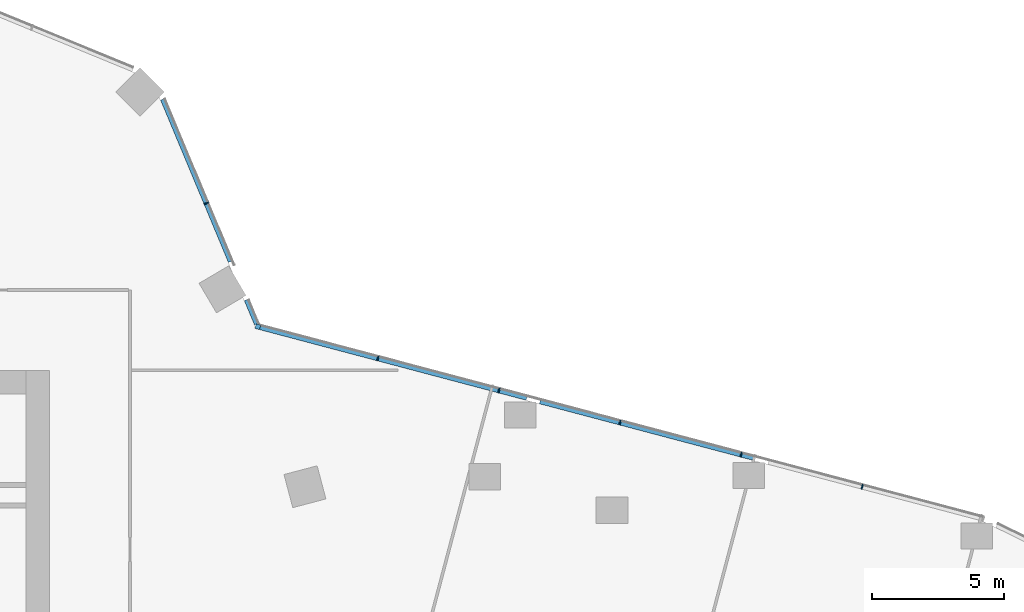
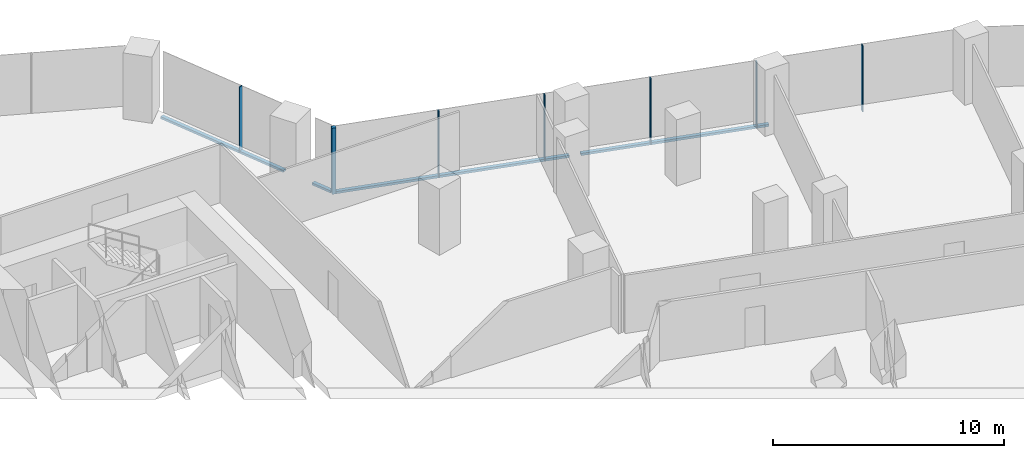
# One storey, part 14 of 34: 11 members, 2 elements without a shape of their own.
"""IFC4 building model written with IfcOpenShell, lengths in metres."""

import ifcopenshell
import ifcopenshell.guid

model = None  # the IFC model being written
_history = None  # IfcOwnerHistory: only IFC2X3 demands one
_inside = {}  # id of a spatial element -> (the spatial element, [elements in it])
_under = {}  # id of a project, library or spatial element -> (it, [spatial elements below it])
_declared = {}  # id of a project -> (the project, [libraries it declares])
_typed = {}  # id of a type object -> (the type object, [elements of that type])
_made_of = {}  # id of a material, layer set ... -> (it, [elements and type objects made of it])


def new_model(schema):
    """Start an empty IFC model of exactly this schema.

    Asked for "IFC4X3", IfcOpenShell would pick the latest addendum, in which some entities
    have other attributes; the version numbers below select the first issue.
    IFC2X3 requires an IfcOwnerHistory on every rooted entity: one is made here for all.
    """
    global model, _history
    if schema == "IFC4X3":
        model = ifcopenshell.file(schema_version=(4, 3, 0, 0))
    else:
        model = ifcopenshell.file(schema=schema)
    _inside.clear()
    _under.clear()
    _declared.clear()
    _typed.clear()
    _made_of.clear()
    _history = None
    if model.schema == "IFC2X3":
        org = make("IfcOrganization", Name="unknown")
        user = make(
            "IfcPersonAndOrganization",
            ThePerson=make("IfcPerson", FamilyName="unknown"),
            TheOrganization=org,
        )
        app = make(
            "IfcApplication",
            ApplicationDeveloper=org,
            Version="unknown",
            ApplicationFullName="unknown",
            ApplicationIdentifier="unknown",
        )
        _history = make(
            "IfcOwnerHistory",
            OwningUser=user,
            OwningApplication=app,
            ChangeAction="ADDED",
            CreationDate=0,
        )
    return model


def make(cls, **values):
    """One entity of the class cls with the attributes given. An attribute that is None is left unset."""
    return model.create_entity(
        cls, **{name: value for name, value in values.items() if value is not None}
    )


def rooted(cls, **values):
    """An entity with a GlobalId (a new one), such as an element, a storey or a relation."""
    return make(cls, GlobalId=ifcopenshell.guid.new(), OwnerHistory=_history, **values)


def si_unit(unit_type, name, prefix=None):
    """IfcSIUnit, for example si_unit("LENGTHUNIT", "METRE", prefix="MILLI")."""
    return make("IfcSIUnit", UnitType=unit_type, Prefix=prefix, Name=name)


def assignment(units):
    """IfcUnitAssignment: the units of a project."""
    return None if units is None else make("IfcUnitAssignment", Units=units)


def point(xyz):
    """IfcCartesianPoint."""
    return None if xyz is None else make("IfcCartesianPoint", Coordinates=xyz)


def direction(xyz):
    """IfcDirection."""
    return None if xyz is None else make("IfcDirection", DirectionRatios=xyz)


def frame(location, z_axis=None, x_axis=None):
    """IfcAxis2Placement3D, a coordinate frame: its origin and axes. An axis left out is left unset."""
    return make(
        "IfcAxis2Placement3D",
        Location=point(location),
        Axis=direction(z_axis),
        RefDirection=direction(x_axis),
    )


def frame_2d(location, x_axis=None):
    """IfcAxis2Placement2D, a coordinate frame in the plane: its origin and x axis."""
    return make(
        "IfcAxis2Placement2D", Location=point(location), RefDirection=direction(x_axis)
    )


def origin():
    """The frame at (0, 0, 0) with its axes left unset."""
    return frame((0.0, 0.0, 0.0))


def origin_2d():
    """The frame at (0, 0) in the plane with its x axis left unset."""
    return frame_2d((0.0, 0.0))


def place(relative_to, where):
    """IfcLocalPlacement: puts the frame where relative to a parent placement (None: the world)."""
    return make(
        "IfcLocalPlacement", PlacementRelTo=relative_to, RelativePlacement=where
    )


def context(
    kind, dimensions, precision=None, world=None, true_north=None, identifier=None
):
    """IfcGeometricRepresentationContext, for example the 3D "Model" context."""
    return make(
        "IfcGeometricRepresentationContext",
        ContextIdentifier=identifier,
        ContextType=kind,
        CoordinateSpaceDimension=dimensions,
        Precision=precision,
        WorldCoordinateSystem=world,
        TrueNorth=true_north,
    )


def subcontext(parent, identifier, kind, view, scale=None):
    """IfcGeometricRepresentationSubContext, for example "Body" below "Model"."""
    return make(
        "IfcGeometricRepresentationSubContext",
        ContextIdentifier=identifier,
        ContextType=kind,
        ParentContext=parent,
        TargetScale=scale,
        TargetView=view,
    )


def project(units=None, contexts=None):
    """IfcProject with its units and contexts."""
    return rooted(
        "IfcProject",
        Name="project",
        RepresentationContexts=contexts,
        UnitsInContext=assignment(units),
    )


def spatial(cls, under=None, at=None, **own):
    """A site, building, storey or space (cls), placed at a placement, below another one or the project."""
    s = rooted(cls, ObjectPlacement=at, **own)
    if under is not None:
        _under.setdefault(under.id(), (under, []))[1].append(s)
    return s


def profile(cls, at=None, kind="AREA", **sizes):
    """A parametric profile (cls). Its sizes go by their IFC names, for example OverallWidth=200.0."""
    return make(cls, ProfileType=kind, Position=at, **sizes)


def rectangle(**sizes):
    """IfcRectangleProfileDef."""
    return profile("IfcRectangleProfileDef", **sizes)


def extrude(swept, where, along, depth):
    """IfcExtrudedAreaSolid: the profile swept, set in the frame where, extruded along a direction by depth."""
    return make(
        "IfcExtrudedAreaSolid",
        SweptArea=swept,
        Position=where,
        ExtrudedDirection=direction(along),
        Depth=depth,
    )


def shape(context_of_items, identifier, shape_type, items):
    """IfcShapeRepresentation: the items that make up one representation, for example the "Body"."""
    return make(
        "IfcShapeRepresentation",
        ContextOfItems=context_of_items,
        RepresentationIdentifier=identifier,
        RepresentationType=shape_type,
        Items=items,
    )


def material(Name=None, Category=None):
    """IfcMaterial."""
    return make("IfcMaterial", Name=Name, Category=Category)


def material_profile(
    of_material, cross_section, Name=None, Category=None, Priority=None
):
    """IfcMaterialProfile: a cross section and its material."""
    return make(
        "IfcMaterialProfile",
        Name=Name,
        Material=of_material,
        Profile=cross_section,
        Priority=Priority,
        Category=Category,
    )


def profile_set(profiles, Name=None, composite=None):
    """IfcMaterialProfileSet."""
    return make(
        "IfcMaterialProfileSet",
        Name=Name,
        MaterialProfiles=profiles,
        CompositeProfile=composite,
    )


def made_of(thing, what):
    """Note that an element or type object is made of a material, layer set ...; save() writes the relation."""
    if what is not None:
        _made_of.setdefault(what.id(), (what, []))[1].append(thing)
    return thing


def type_object(cls, material=None, **own):
    """A type object (cls), such as IfcWallType, which elements share."""
    return made_of(rooted(cls, **own), material)


def element(
    cls,
    number,
    at=None,
    inside=None,
    cuts=None,
    type_object=None,
    material=None,
    context=None,
    identifier="Body",
    shape_type=None,
    held_by="IfcProductDefinitionShape",
    body=None,
    shapes=None,
    **own,
):
    """One element of the class cls, such as IfcWall. Its Tag is "e" and its number.

    at: its placement. inside: the storey or other place that contains it. cuts: it is an
    opening in that element (IfcRelVoidsElement). A single representation is given by context,
    identifier, shape_type and body (its items); several are given by shapes. held_by: the class
    of the entity that holds the representations. save() writes the other relations.
    """
    e = rooted(cls, Tag="e%d" % number, ObjectPlacement=at, **own)
    if body is not None:
        shapes = [shape(context, identifier, shape_type, body)]
    if shapes is not None:
        e.Representation = make(held_by, Representations=shapes)
    if inside is not None:
        _inside.setdefault(inside.id(), (inside, []))[1].append(e)
    if cuts is not None:
        rooted(
            "IfcRelVoidsElement", RelatingBuildingElement=cuts, RelatedOpeningElement=e
        )
    if type_object is not None:
        _typed.setdefault(type_object.id(), (type_object, []))[1].append(e)
    return made_of(e, material)


def aggregate(whole, parts):
    """IfcRelAggregates: a whole, such as a stair, and the parts it consists of."""
    return rooted("IfcRelAggregates", RelatingObject=whole, RelatedObjects=parts)


def save(model, path):
    """Write the relations noted so far, then the file.

    IfcRelAggregates (storeys below a building ...), IfcRelContainedInSpatialStructure (elements
    in a storey), IfcRelDefinesByType, IfcRelAssociatesMaterial and IfcRelDeclares: one each for
    every whole, place, type object, material and project.
    """
    for whole, parts in _under.values():
        aggregate(whole, parts)
    for where, things in _inside.values():
        rooted(
            "IfcRelContainedInSpatialStructure",
            RelatedElements=things,
            RelatingStructure=where,
        )
    for kind, things in _typed.values():
        rooted("IfcRelDefinesByType", RelatedObjects=things, RelatingType=kind)
    for what, things in _made_of.values():
        rooted("IfcRelAssociatesMaterial", RelatedObjects=things, RelatingMaterial=what)
    for by, libraries in _declared.values():
        rooted("IfcRelDeclares", RelatingContext=by, RelatedDefinitions=libraries)
    model.write(path)


model = new_model("IFC4")

# Units and contexts
model_context = context("Model", 3, precision=1e-05, world=origin(), true_north=direction((0.0, 1.0)))
body_context = subcontext(model_context, "Body", "Model", "MODEL_VIEW")
ifc_project = project(units=[si_unit("LENGTHUNIT", "METRE"), si_unit("AREAUNIT", "SQUARE_METRE"), si_unit("VOLUMEUNIT", "CUBIC_METRE"), si_unit("PLANEANGLEUNIT", "RADIAN"), si_unit("MASSUNIT", "GRAM", prefix="KILO")], contexts=[model_context])

# Site, building, storey
site_placement = place(None, origin())
site = spatial("IfcSite", under=ifc_project, at=site_placement, CompositionType="ELEMENT")
building_placement = place(site_placement, origin())
building = spatial("IfcBuilding", under=site, at=building_placement, Name="Orlundy Tower", CompositionType="ELEMENT")
storey_placement = place(building_placement, frame((0.0, 0.0, 112.699951171875)))
storey = spatial("IfcBuildingStorey", under=building, at=storey_placement, Name="L28", CompositionType="ELEMENT", Elevation=112.699951171875)

# Curtain wall, member
ifc_material_1 = material(Name="Aluminium bronze anodised", Category="aluminium")
curtain_wall_type = type_object("IfcCurtainWallType", Name="CW1 wall", PredefinedType="NOTDEFINED", material=ifc_material_1)
curtain_wall_1_placement = place(storey_placement, origin())
curtain_wall_1 = element("IfcCurtainWall", 1, at=curtain_wall_1_placement, inside=storey, type_object=curtain_wall_type, Name="CW1 run 018", PredefinedType="NOTDEFINED")
ifc_material_2 = material(Name="Aluminium bronze anodised", Category="aluminium")
ifc_material_profile_1 = material_profile(ifc_material_2, rectangle(XDim=0.179931640625, YDim=0.179931640625, at=origin_2d()), Name="CW1 corner post 180x180")
ifc_profile_set_1 = profile_set([ifc_material_profile_1], Name="Aluminium bronze anodised")
member_type_1 = type_object("IfcMemberType", Name="CW1 corner post 180x180", PredefinedType="MULLION", material=ifc_profile_set_1)
member_1_placement = place(storey_placement, frame((26.905029296875, 13.65771484375, -0.39990234375), z_axis=(0.0, 0.0, 1.0), x_axis=(0.256019713949, 0.966671560598, 0.0)))
member_1 = element("IfcMember", 2, at=member_1_placement, type_object=member_type_1, Name="CW1 mullion 51", PredefinedType="MULLION", context=body_context, shape_type="SweptSolid", body=[
    extrude(rectangle(XDim=0.179931640625, YDim=0.179931640625, at=origin_2d()), origin(), (0.0, 0.0, 1.0), 3.5),
])

curtain_wall_2_placement = place(storey_placement, origin())
curtain_wall_2 = element("IfcCurtainWall", 3, at=curtain_wall_2_placement, inside=storey, type_object=curtain_wall_type, Name="CW1 run 017", PredefinedType="NOTDEFINED")
ifc_material_3 = material(Name="Aluminium bronze anodised", Category="aluminium")
ifc_material_profile_2 = material_profile(ifc_material_3, rectangle(XDim=0.179931640625, YDim=0.050048828125, at=origin_2d()), Name="CW1 mullion 50x180")
ifc_profile_set_2 = profile_set([ifc_material_profile_2], Name="Aluminium bronze anodised")
member_type_2 = type_object("IfcMemberType", Name="CW1 mullion 50x180", PredefinedType="MULLION", material=ifc_profile_set_2)
member_2_placement = place(storey_placement, frame((24.949462890625, 18.339599609375, -0.39990234375), z_axis=(0.0, 0.0, 1.0), x_axis=(0.922758688949, 0.385378258299, 0.0)))
member_2 = element("IfcMember", 4, at=member_2_placement, type_object=member_type_2, Name="CW1 mullion 50", PredefinedType="MULLION", context=body_context, shape_type="SweptSolid", body=[
    extrude(rectangle(XDim=0.179931640625, YDim=0.050048828125, at=origin_2d()), origin(), (0.0, 0.0, 1.0), 3.5),
])

# Member
member_3_placement = place(storey_placement, frame((31.458984375, 12.451416015625, -0.39990234375), z_axis=(0.0, 0.0, 1.0), x_axis=(0.256019713949, 0.966671560598, 0.0)))
member_3 = element("IfcMember", 5, at=member_3_placement, type_object=member_type_2, Name="CW1 mullion 52", PredefinedType="MULLION", context=body_context, shape_type="SweptSolid", body=[
    extrude(rectangle(XDim=0.179931640625, YDim=0.050048828125, at=origin_2d()), origin(), (0.0, 0.0, 1.0), 3.5),
])

member_4_placement = place(storey_placement, frame((36.05615234375, 11.23388671875, -0.39990234375), z_axis=(0.0, 0.0, 1.0), x_axis=(0.256019713949, 0.966671560598, 0.0)))
member_4 = element("IfcMember", 6, at=member_4_placement, type_object=member_type_2, Name="CW1 mullion 53", PredefinedType="MULLION", context=body_context, shape_type="SweptSolid", body=[
    extrude(rectangle(XDim=0.179931640625, YDim=0.050048828125, at=origin_2d()), origin(), (0.0, 0.0, 1.0), 3.5),
])

member_5_placement = place(storey_placement, frame((40.653076171875, 10.0166015625, -0.39990234375), z_axis=(0.0, 0.0, 1.0), x_axis=(0.256019713949, 0.966671560598, 0.0)))
member_5 = element("IfcMember", 7, at=member_5_placement, type_object=member_type_2, Name="CW1 mullion 54", PredefinedType="MULLION", context=body_context, shape_type="SweptSolid", body=[
    extrude(rectangle(XDim=0.179931640625, YDim=0.050048828125, at=origin_2d()), origin(), (0.0, 0.0, 1.0), 3.5),
])

member_6_placement = place(storey_placement, frame((45.25, 8.799072265625, -0.39990234375), z_axis=(0.0, 0.0, 1.0), x_axis=(0.256019713949, 0.966671560598, 0.0)))
member_6 = element("IfcMember", 8, at=member_6_placement, type_object=member_type_2, Name="CW1 mullion 55", PredefinedType="MULLION", context=body_context, shape_type="SweptSolid", body=[
    extrude(rectangle(XDim=0.179931640625, YDim=0.050048828125, at=origin_2d()), origin(), (0.0, 0.0, 1.0), 3.5),
])

member_7_placement = place(storey_placement, frame((49.846923828125, 7.58154296875, -0.39990234375), z_axis=(0.0, 0.0, 1.0), x_axis=(0.256019713949, 0.966671560598, 0.0)))
member_7 = element("IfcMember", 9, at=member_7_placement, type_object=member_type_2, Name="CW1 mullion 56", PredefinedType="MULLION", context=body_context, shape_type="SweptSolid", body=[
    extrude(rectangle(XDim=0.179931640625, YDim=0.050048828125, at=origin_2d()), origin(), (0.0, 0.0, 1.0), 3.5),
])

ifc_material_4 = material(Name="Aluminium bronze anodised", Category="aluminium")
ifc_material_profile_3 = material_profile(ifc_material_4, rectangle(XDim=0.179931640625, YDim=0.1201171875, at=origin_2d()), Name="CW1 transom 180x120")
ifc_profile_set_3 = profile_set([ifc_material_profile_3], Name="Aluminium bronze anodised")
member_type_3 = type_object("IfcMemberType", Name="CW1 transom 180x120", PredefinedType="USERDEFINED", material=ifc_profile_set_3)
member_8_placement = place(storey_placement, frame((23.29638671875, 22.2978515625, -0.33984375), z_axis=(0.385382794514, -0.922756794444, 0.0), x_axis=(0.922756794444, 0.385382794514, 0.0)))
member_8 = element("IfcMember", 10, at=member_8_placement, type_object=member_type_3, Name="CW1 transom", ObjectType="TRANSOM", PredefinedType="USERDEFINED", context=body_context, shape_type="SweptSolid", body=[
    extrude(rectangle(XDim=0.179931640625, YDim=0.1201171875, at=origin_2d()), origin(), (0.0, 0.0, 1.0), 6.685302734375),
])

member_9_placement = place(storey_placement, frame((26.47607421875, 14.6845703125, -0.33984375), z_axis=(0.385413000018, -0.92274417875, 0.0), x_axis=(0.92274417875, 0.385413000018, 0.0)))
member_9 = element("IfcMember", 11, at=member_9_placement, type_object=member_type_3, Name="CW1 transom", ObjectType="TRANSOM", PredefinedType="USERDEFINED", context=body_context, shape_type="SweptSolid", body=[
    extrude(rectangle(XDim=0.179931640625, YDim=0.1201171875, at=origin_2d()), origin(), (0.0, 0.0, 1.0), 0.99951171875),
])

aggregate(curtain_wall_2, [member_2, member_8, member_9])

member_10_placement = place(storey_placement, frame((26.991943359375, 13.634521484375, -0.33984375), z_axis=(0.966674502296, -0.256008606518, 0.0), x_axis=(0.256008606518, 0.966674502296, 0.0)))
member_10 = element("IfcMember", 12, at=member_10_placement, type_object=member_type_3, Name="CW1 transom", ObjectType="TRANSOM", PredefinedType="USERDEFINED", context=body_context, shape_type="SweptSolid", body=[
    extrude(rectangle(XDim=0.179931640625, YDim=0.1201171875, at=origin_2d()), origin(), (0.0, 0.0, 1.0), 10.46630859375),
])

member_11_placement = place(storey_placement, frame((37.616943359375, 10.820556640625, -0.33984375), z_axis=(0.966670489841, -0.256023756848, 0.0), x_axis=(0.256023756848, 0.966670489841, 0.0)))
member_11 = element("IfcMember", 13, at=member_11_placement, type_object=member_type_3, Name="CW1 transom", ObjectType="TRANSOM", PredefinedType="USERDEFINED", context=body_context, shape_type="SweptSolid", body=[
    extrude(rectangle(XDim=0.179931640625, YDim=0.1201171875, at=origin_2d()), origin(), (0.0, 0.0, 1.0), 8.439208984375),
])

aggregate(curtain_wall_1, [member_1, member_3, member_4, member_5, member_6, member_7, member_10, member_11])

save(model, "model.ifc")
